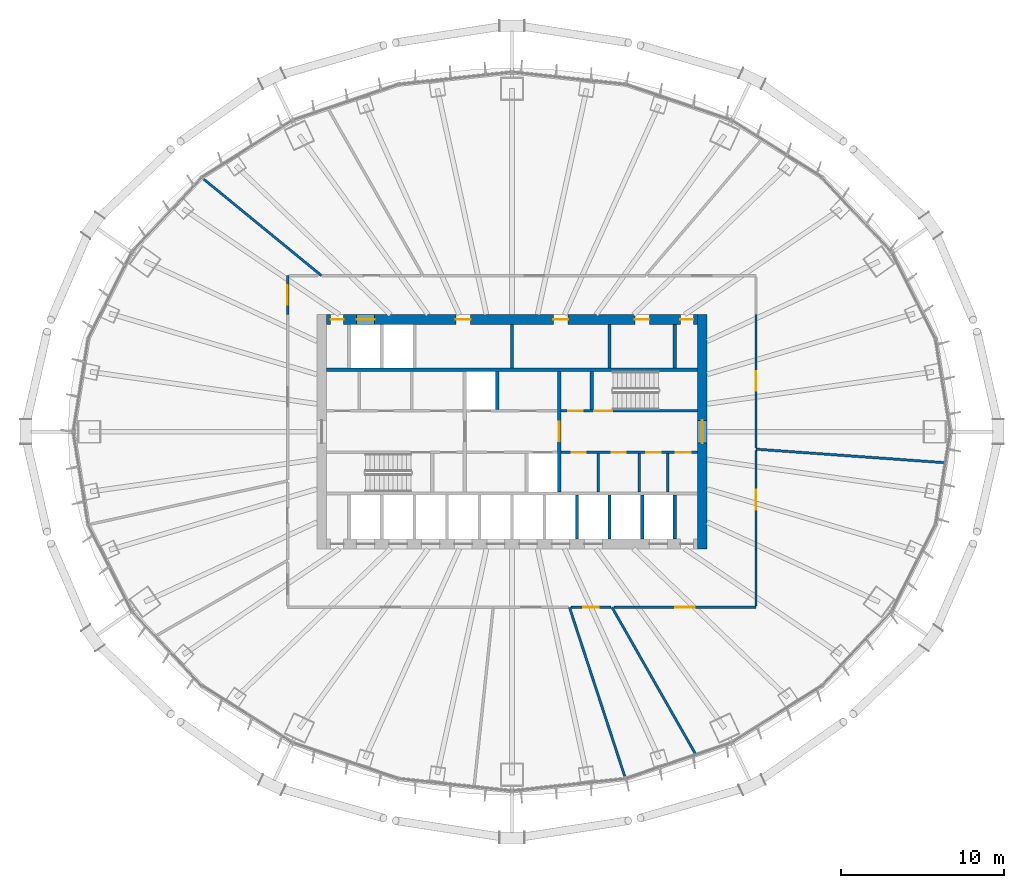
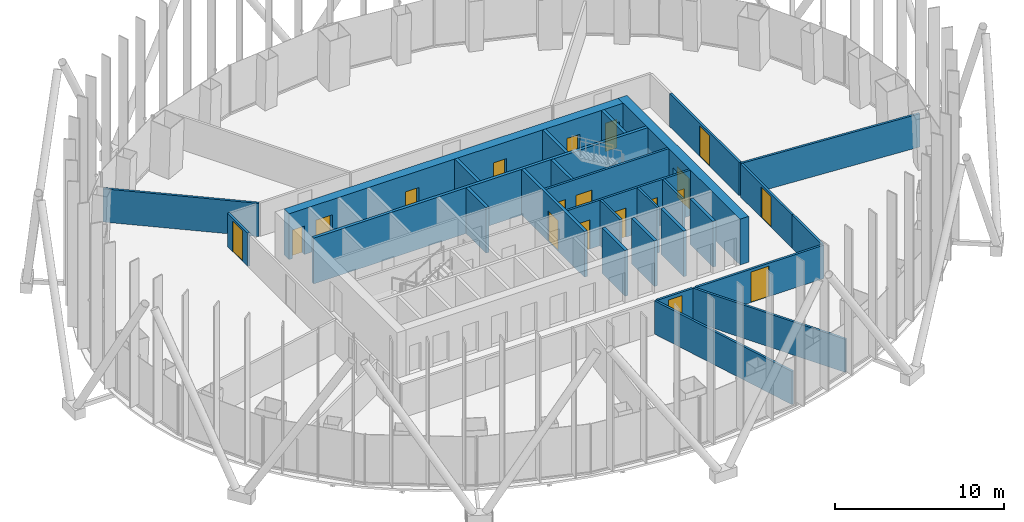
# One storey, part 8 of 21: 28 walls, 19 doors, 19 openings.
"""IFC4 building model written with IfcOpenShell, lengths in metres."""

from ifc_helpers import new_model, si_unit, direction, frame, frame_2d, origin, place, context, subcontext, project, spatial, rectangle, extrude, material, layer, layer_set, type_object, element, fill, save


model = new_model("IFC4")

# Units and contexts
model_context = context("Model", 3, precision=1e-05, world=origin(), true_north=direction((0.0, 1.0)))
body_context = subcontext(model_context, "Body", "Model", "MODEL_VIEW")
ifc_project = project(units=[si_unit("LENGTHUNIT", "METRE"), si_unit("AREAUNIT", "SQUARE_METRE"), si_unit("VOLUMEUNIT", "CUBIC_METRE"), si_unit("PLANEANGLEUNIT", "RADIAN"), si_unit("MASSUNIT", "GRAM", prefix="KILO")], contexts=[model_context])

# Site, building, storey
site_placement = place(None, origin())
site = spatial("IfcSite", under=ifc_project, at=site_placement, CompositionType="ELEMENT")
building_placement = place(site_placement, origin())
building = spatial("IfcBuilding", under=site, at=building_placement, Name="Siaravel Broadcast Tower", CompositionType="ELEMENT")
storey_placement = place(building_placement, frame((0.0, 0.0, 70.39990234375)))
storey = spatial("IfcBuildingStorey", under=building, at=storey_placement, Name="L16", CompositionType="ELEMENT", Elevation=70.39990234375)

# Walls
ifc_material_1 = material(Name="Concrete blockwork", Category="masonry")
ifc_layer_1 = layer(ifc_material_1, 0.14990234375)
ifc_layer_set_1 = layer_set([ifc_layer_1], Name="Concrete blockwork")
wall_type_1 = type_object("IfcWallType", Name="Core partition 150", PredefinedType="PARTITIONING", material=ifc_layer_set_1)
for number, where, z_axis, x_axis, name in (
    (1, (5.301025390625, -3.699951171875, 0.0), (0.0, 0.0, 1.0), (0.0, 1.0, 0.0), "L16 core partition PSE0"),
    (2, (7.8359375, -3.699951171875, 0.0), (0.0, 0.0, 1.0), (0.0, 1.0, 0.0), "L16 core partition PSE1"),
    (3, (9.575927734375, -3.699951171875, 0.0), (0.0, 0.0, 1.0), (0.0, 1.0, 0.0), "L16 core partition PSE2"),
):
    element("IfcWall", number, at=place(storey_placement, frame(where, z_axis=z_axis, x_axis=x_axis)), inside=storey, type_object=wall_type_1, Name=name, PredefinedType="PARTITIONING", context=body_context, shape_type="SweptSolid", body=[
        extrude(rectangle(XDim=2.349853515625, YDim=0.14990234375, at=frame_2d((1.1748046875, 0.0))), origin(), (0.0, 0.0, 1.0), 3.300048828125),
    ])
ifc_layer_2 = layer(ifc_material_1, 0.199951171875)
ifc_layer_set_2 = layer_set([ifc_layer_2], Name="Concrete blockwork")
wall_type_2 = type_object("IfcWallType", Name="Core partition 200", PredefinedType="PARTITIONING", material=ifc_layer_set_2)
for number, where, z_axis, x_axis, name in (
    (4, (0.0, 3.89990234375, 0.0), (0.0, 0.0, 1.0), (0.0, 1.0, 0.0), "L16 core partition PFN2"),
    (5, (6.0, 3.89990234375, 0.0), (0.0, 0.0, 1.0), (0.0, 1.0, 0.0), "L16 core partition PFN5"),
):
    element("IfcWall", number, at=place(storey_placement, frame(where, z_axis=z_axis, x_axis=x_axis)), inside=storey, type_object=wall_type_2, Name=name, PredefinedType="PARTITIONING", context=body_context, shape_type="SweptSolid", body=[
        extrude(rectangle(XDim=2.7001953125, YDim=0.199951171875, at=frame_2d((1.35009765625, 0.0))), origin(), (0.0, 0.0, 1.0), 3.300048828125),
    ])

# Wall, opening, door
ifc_material_2 = material(Name="Concrete C60/75", Category="concrete")
ifc_layer_3 = layer(ifc_material_2, 0.60009765625)
ifc_layer_set_3 = layer_set([ifc_layer_3], Name="Concrete C60/75")
wall_type_3 = type_object("IfcWallType", Name="Core wall 600", PredefinedType="SHEAR", material=ifc_layer_set_3)
wall_1_placement = place(storey_placement, frame((11.699951171875, -7.199951171875, 0.0), z_axis=(0.0, 0.0, 1.0), x_axis=(0.0, 1.0, 0.0)))
wall_1 = element("IfcWall", 6, at=wall_1_placement, inside=storey, type_object=wall_type_3, Name="L16 core wall OE", PredefinedType="SHEAR", context=body_context, shape_type="SweptSolid", body=[
    extrude(rectangle(XDim=14.39990234375, YDim=0.60009765625, at=frame_2d((7.199951171875, 0.0))), origin(), (0.0, 0.0, 1.0), 3.300048828125),
])
opening_1_placement = place(wall_1_placement, frame((6.5, 0.0, 0.0)))
opening_1 = element("IfcOpeningElement", 7, at=opening_1_placement, cuts=wall_1, Name="Opening L16-DX-E", PredefinedType="OPENING", context=body_context, shape_type="SweptSolid", body=[
    extrude(rectangle(XDim=1.39990234375, YDim=2.199951171875, at=frame_2d((0.699951171875, 1.10009765625))), frame((0.0, 0.31005859375, 0.0), z_axis=(0.0, -1.0, 0.0), x_axis=(1.0, 0.0, 0.0)), (0.0, 0.0, 1.0), 0.6201171875),
])
ifc_material_3 = material(Name="Steel", Category="steel")
door_type_1 = type_object("IfcDoorType", Name="Core exit door 1400", OperationType="DOUBLE_DOOR_SINGLE_SWING", PredefinedType="DOOR", material=ifc_material_3)
door_1_placement = place(opening_1_placement, origin())
door_1 = element("IfcDoor", 8, at=door_1_placement, inside=storey, type_object=door_type_1, Name="L16 door DX-E", OperationType="DOUBLE_DOOR_SINGLE_SWING", OverallHeight=2.199951171875, OverallWidth=1.39990234375, PredefinedType="DOOR", context=body_context, shape_type="SweptSolid", body=[
    extrude(rectangle(XDim=1.39990234375, YDim=2.199951171875, at=frame_2d((0.699951171875, 1.10009765625))), frame((0.0, 0.02490234375, 0.0), z_axis=(0.0, -1.0, 0.0), x_axis=(1.0, 0.0, 0.0)), (0.0, 0.0, 1.0), 0.050048828125),
])
fill(opening_1, door_1)

# Wall, openings, doors
wall_2_placement = place(storey_placement, frame((-11.39990234375, 6.89990234375, 0.0), z_axis=(0.0, 0.0, 1.0), x_axis=(1.0, 0.0, 0.0)))
wall_2 = element("IfcWall", 9, at=wall_2_placement, inside=storey, type_object=wall_type_3, Name="L16 core wall ON", PredefinedType="SHEAR", context=body_context, shape_type="SweptSolid", body=[
    extrude(rectangle(XDim=22.7998046875, YDim=0.60009765625, at=frame_2d((11.39990234375, 0.0))), origin(), (0.0, 0.0, 1.0), 3.300048828125),
])
opening_2_placement = place(wall_2_placement, frame((1.85009765625, 0.0, 0.0)))
opening_2 = element("IfcOpeningElement", 10, at=opening_2_placement, cuts=wall_2, Name="Opening LD-SV2-L16", PredefinedType="OPENING", context=body_context, shape_type="SweptSolid", body=[
    extrude(rectangle(XDim=1.10009765625, YDim=2.199951171875, at=frame_2d((0.550048828125, 1.10009765625))), frame((0.0, 0.31005859375, 0.0), z_axis=(0.0, -1.0, 0.0), x_axis=(1.0, 0.0, 0.0)), (0.0, 0.0, 1.0), 0.6201171875),
])
opening_3_placement = place(wall_2_placement, frame((7.949951171875, 0.0, 0.0)))
opening_3 = element("IfcOpeningElement", 11, at=opening_3_placement, cuts=wall_2, Name="Opening L16-DFN2", PredefinedType="OPENING", context=body_context, shape_type="SweptSolid", body=[
    extrude(rectangle(XDim=0.89990234375, YDim=2.10009765625, at=frame_2d((0.449951171875, 1.050048828125))), frame((0.0, 0.31005859375, 0.0), z_axis=(0.0, -1.0, 0.0), x_axis=(1.0, 0.0, 0.0)), (0.0, 0.0, 1.0), 0.6201171875),
])
opening_4_placement = place(wall_2_placement, frame((13.949951171875, 0.0, 0.0)))
opening_4 = element("IfcOpeningElement", 12, at=opening_4_placement, cuts=wall_2, Name="Opening L16-DFN5", PredefinedType="OPENING", context=body_context, shape_type="SweptSolid", body=[
    extrude(rectangle(XDim=0.89990234375, YDim=2.10009765625, at=frame_2d((0.449951171875, 1.050048828125))), frame((0.0, 0.31005859375, 0.0), z_axis=(0.0, -1.0, 0.0), x_axis=(1.0, 0.0, 0.0)), (0.0, 0.0, 1.0), 0.6201171875),
])
opening_5_placement = place(wall_2_placement, frame((18.949951171875, 0.0, 0.0)))
opening_5 = element("IfcOpeningElement", 13, at=opening_5_placement, cuts=wall_2, Name="Opening L16-DFN8", PredefinedType="OPENING", context=body_context, shape_type="SweptSolid", body=[
    extrude(rectangle(XDim=0.89990234375, YDim=2.10009765625, at=frame_2d((0.449951171875, 1.050048828125))), frame((0.0, 0.31005859375, 0.0), z_axis=(0.0, -1.0, 0.0), x_axis=(1.0, 0.0, 0.0)), (0.0, 0.0, 1.0), 0.6201171875),
])
opening_6_placement = place(wall_2_placement, frame((0.25, 0.0, 0.0)))
opening_6 = element("IfcOpeningElement", 14, at=opening_6_placement, cuts=wall_2, Name="Opening L16-DRNW", PredefinedType="OPENING", context=body_context, shape_type="SweptSolid", body=[
    extrude(rectangle(XDim=0.800048828125, YDim=2.050048828125, at=frame_2d((0.39990234375, 1.02490234375))), frame((0.0, 0.31005859375, 0.0), z_axis=(0.0, -1.0, 0.0), x_axis=(1.0, 0.0, 0.0)), (0.0, 0.0, 1.0), 0.6201171875),
])
opening_7_placement = place(wall_2_placement, frame((21.75, 0.0, 0.0)))
opening_7 = element("IfcOpeningElement", 15, at=opening_7_placement, cuts=wall_2, Name="Opening L16-DRNE", PredefinedType="OPENING", context=body_context, shape_type="SweptSolid", body=[
    extrude(rectangle(XDim=0.800048828125, YDim=2.050048828125, at=frame_2d((0.39990234375, 1.02490234375))), frame((0.0, 0.31005859375, 0.0), z_axis=(0.0, -1.0, 0.0), x_axis=(1.0, 0.0, 0.0)), (0.0, 0.0, 1.0), 0.6201171875),
])
ifc_material_4 = material(Name="Timber veneer", Category="wood")
door_type_2 = type_object("IfcDoorType", Name="Core room door 900", OperationType="SINGLE_SWING_LEFT", PredefinedType="DOOR", material=ifc_material_4)
door_2_placement = place(opening_3_placement, origin())
door_2 = element("IfcDoor", 16, at=door_2_placement, inside=storey, type_object=door_type_2, Name="L16 door DFN2", OperationType="SINGLE_SWING_LEFT", OverallHeight=2.10009765625, OverallWidth=0.89990234375, PredefinedType="DOOR", context=body_context, shape_type="SweptSolid", body=[
    extrude(rectangle(XDim=0.89990234375, YDim=2.10009765625, at=frame_2d((0.449951171875, 1.050048828125))), frame((0.0, 0.02490234375, 0.0), z_axis=(0.0, -1.0, 0.0), x_axis=(1.0, 0.0, 0.0)), (0.0, 0.0, 1.0), 0.050048828125),
])
fill(opening_3, door_2)
door_3_placement = place(opening_4_placement, origin())
door_3 = element("IfcDoor", 17, at=door_3_placement, inside=storey, type_object=door_type_2, Name="L16 door DFN5", OperationType="SINGLE_SWING_LEFT", OverallHeight=2.10009765625, OverallWidth=0.89990234375, PredefinedType="DOOR", context=body_context, shape_type="SweptSolid", body=[
    extrude(rectangle(XDim=0.89990234375, YDim=2.10009765625, at=frame_2d((0.449951171875, 1.050048828125))), frame((0.0, 0.02490234375, 0.0), z_axis=(0.0, -1.0, 0.0), x_axis=(1.0, 0.0, 0.0)), (0.0, 0.0, 1.0), 0.050048828125),
])
fill(opening_4, door_3)
door_4_placement = place(opening_5_placement, origin())
door_4 = element("IfcDoor", 18, at=door_4_placement, inside=storey, type_object=door_type_2, Name="L16 door DFN8", OperationType="SINGLE_SWING_LEFT", OverallHeight=2.10009765625, OverallWidth=0.89990234375, PredefinedType="DOOR", context=body_context, shape_type="SweptSolid", body=[
    extrude(rectangle(XDim=0.89990234375, YDim=2.10009765625, at=frame_2d((0.449951171875, 1.050048828125))), frame((0.0, 0.02490234375, 0.0), z_axis=(0.0, -1.0, 0.0), x_axis=(1.0, 0.0, 0.0)), (0.0, 0.0, 1.0), 0.050048828125),
])
fill(opening_5, door_4)
door_type_3 = type_object("IfcDoorType", Name="Riser door 800", OperationType="SINGLE_SWING_LEFT", PredefinedType="DOOR", material=ifc_material_3)
door_5_placement = place(opening_6_placement, origin())
door_5 = element("IfcDoor", 19, at=door_5_placement, inside=storey, type_object=door_type_3, Name="L16 door DRNW", OperationType="SINGLE_SWING_LEFT", OverallHeight=2.050048828125, OverallWidth=0.800048828125, PredefinedType="DOOR", context=body_context, shape_type="SweptSolid", body=[
    extrude(rectangle(XDim=0.800048828125, YDim=2.050048828125, at=frame_2d((0.39990234375, 1.02490234375))), frame((0.0, 0.02490234375, 0.0), z_axis=(0.0, -1.0, 0.0), x_axis=(1.0, 0.0, 0.0)), (0.0, 0.0, 1.0), 0.050048828125),
])
fill(opening_6, door_5)
door_6_placement = place(opening_7_placement, origin())
door_6 = element("IfcDoor", 20, at=door_6_placement, inside=storey, type_object=door_type_3, Name="L16 door DRNE", OperationType="SINGLE_SWING_LEFT", OverallHeight=2.050048828125, OverallWidth=0.800048828125, PredefinedType="DOOR", context=body_context, shape_type="SweptSolid", body=[
    extrude(rectangle(XDim=0.800048828125, YDim=2.050048828125, at=frame_2d((0.39990234375, 1.02490234375))), frame((0.0, 0.02490234375, 0.0), z_axis=(0.0, -1.0, 0.0), x_axis=(1.0, 0.0, 0.0)), (0.0, 0.0, 1.0), 0.050048828125),
])
fill(opening_7, door_6)
ifc_material_5 = material(Name="Stainless steel 316L", Category="steel")
door_type_4 = type_object("IfcDoorType", Name="Service lift landing door 1100", OperationType="DOUBLE_DOOR_SLIDING", PredefinedType="DOOR", material=ifc_material_5)
door_7_placement = place(opening_2_placement, origin())
door_7 = element("IfcDoor", 21, at=door_7_placement, inside=storey, type_object=door_type_4, Name="Landing door SV2 L16", OperationType="DOUBLE_DOOR_SLIDING", OverallHeight=2.199951171875, OverallWidth=1.10009765625, PredefinedType="DOOR", context=body_context, shape_type="SweptSolid", body=[
    extrude(rectangle(XDim=1.10009765625, YDim=2.199951171875, at=frame_2d((0.550048828125, 1.10009765625))), frame((0.0, 0.02490234375, 0.0), z_axis=(0.0, -1.0, 0.0), x_axis=(1.0, 0.0, 0.0)), (0.0, 0.0, 1.0), 0.050048828125),
])
fill(opening_2, door_7)

ifc_material_6 = material(Name="Gypsum board partition", Category="gypsum")
ifc_layer_4 = layer(ifc_material_6, 0.14990234375)
ifc_layer_set_4 = layer_set([ifc_layer_4], Name="Gypsum board partition")
wall_type_4 = type_object("IfcWallType", Name="Corridor wall 150", PredefinedType="PARTITIONING", material=ifc_layer_set_4)
wall_3_placement = place(storey_placement, frame((3.0, -1.27490234375, 0.0), z_axis=(0.0, 0.0, 1.0), x_axis=(1.0, 0.0, 0.0)))
wall_3 = element("IfcWall", 22, at=wall_3_placement, inside=storey, type_object=wall_type_4, Name="L16 core partition CSE", PredefinedType="PARTITIONING", context=body_context, shape_type="SweptSolid", body=[
    extrude(rectangle(XDim=8.39990234375, YDim=0.14990234375, at=frame_2d((4.199951171875, 0.0))), origin(), (0.0, 0.0, 1.0), 3.300048828125),
])
opening_8_placement = place(wall_3_placement, frame((0.68798828125, 0.0, 0.0)))
opening_8 = element("IfcOpeningElement", 23, at=opening_8_placement, cuts=wall_3, Name="Opening L16-DSE0", PredefinedType="OPENING", context=body_context, shape_type="SweptSolid", body=[
    extrude(rectangle(XDim=0.85009765625, YDim=2.10009765625, at=frame_2d((0.425048828125, 1.050048828125))), frame((0.0, 0.0849609375, 0.0), z_axis=(0.0, -1.0, 0.0), x_axis=(1.0, 0.0, 0.0)), (0.0, 0.0, 1.0), 0.169921875),
])
opening_9_placement = place(wall_3_placement, frame((3.1435546875, 0.0, 0.0)))
opening_9 = element("IfcOpeningElement", 24, at=opening_9_placement, cuts=wall_3, Name="Opening L16-DSE1", PredefinedType="OPENING", context=body_context, shape_type="SweptSolid", body=[
    extrude(rectangle(XDim=0.85009765625, YDim=2.10009765625, at=frame_2d((0.425048828125, 1.050048828125))), frame((0.0, 0.0849609375, 0.0), z_axis=(0.0, -1.0, 0.0), x_axis=(1.0, 0.0, 0.0)), (0.0, 0.0, 1.0), 0.169921875),
])
opening_10_placement = place(wall_3_placement, frame((5.256103515625, 0.0, 0.0)))
opening_10 = element("IfcOpeningElement", 25, at=opening_10_placement, cuts=wall_3, Name="Opening L16-DSE2", PredefinedType="OPENING", context=body_context, shape_type="SweptSolid", body=[
    extrude(rectangle(XDim=0.89990234375, YDim=2.10009765625, at=frame_2d((0.449951171875, 1.050048828125))), frame((0.0, 0.0849609375, 0.0), z_axis=(0.0, -1.0, 0.0), x_axis=(1.0, 0.0, 0.0)), (0.0, 0.0, 1.0), 0.169921875),
])
opening_11_placement = place(wall_3_placement, frame((7.075439453125, 0.0, 0.0)))
opening_11 = element("IfcOpeningElement", 26, at=opening_11_placement, cuts=wall_3, Name="Opening L16-DSE3", PredefinedType="OPENING", context=body_context, shape_type="SweptSolid", body=[
    extrude(rectangle(XDim=0.89990234375, YDim=2.10009765625, at=frame_2d((0.449951171875, 1.050048828125))), frame((0.0, 0.0849609375, 0.0), z_axis=(0.0, -1.0, 0.0), x_axis=(1.0, 0.0, 0.0)), (0.0, 0.0, 1.0), 0.169921875),
])
door_8_placement = place(opening_10_placement, origin())
door_8 = element("IfcDoor", 27, at=door_8_placement, inside=storey, type_object=door_type_2, Name="L16 door DSE2", OperationType="SINGLE_SWING_LEFT", OverallHeight=2.10009765625, OverallWidth=0.89990234375, PredefinedType="DOOR", context=body_context, shape_type="SweptSolid", body=[
    extrude(rectangle(XDim=0.89990234375, YDim=2.10009765625, at=frame_2d((0.449951171875, 1.050048828125))), frame((0.0, 0.02490234375, 0.0), z_axis=(0.0, -1.0, 0.0), x_axis=(1.0, 0.0, 0.0)), (0.0, 0.0, 1.0), 0.050048828125),
])
fill(opening_10, door_8)
door_9_placement = place(opening_11_placement, origin())
door_9 = element("IfcDoor", 28, at=door_9_placement, inside=storey, type_object=door_type_2, Name="L16 door DSE3", OperationType="SINGLE_SWING_LEFT", OverallHeight=2.10009765625, OverallWidth=0.89990234375, PredefinedType="DOOR", context=body_context, shape_type="SweptSolid", body=[
    extrude(rectangle(XDim=0.89990234375, YDim=2.10009765625, at=frame_2d((0.449951171875, 1.050048828125))), frame((0.0, 0.02490234375, 0.0), z_axis=(0.0, -1.0, 0.0), x_axis=(1.0, 0.0, 0.0)), (0.0, 0.0, 1.0), 0.050048828125),
])
fill(opening_11, door_9)
door_type_5 = type_object("IfcDoorType", Name="Core toilet door 850", OperationType="SINGLE_SWING_LEFT", PredefinedType="DOOR", material=ifc_material_4)
door_10_placement = place(opening_8_placement, origin())
door_10 = element("IfcDoor", 29, at=door_10_placement, inside=storey, type_object=door_type_5, Name="L16 door DSE0", OperationType="SINGLE_SWING_LEFT", OverallHeight=2.10009765625, OverallWidth=0.85009765625, PredefinedType="DOOR", context=body_context, shape_type="SweptSolid", body=[
    extrude(rectangle(XDim=0.85009765625, YDim=2.10009765625, at=frame_2d((0.425048828125, 1.050048828125))), frame((0.0, 0.02490234375, 0.0), z_axis=(0.0, -1.0, 0.0), x_axis=(1.0, 0.0, 0.0)), (0.0, 0.0, 1.0), 0.050048828125),
])
fill(opening_8, door_10)
door_11_placement = place(opening_9_placement, origin())
door_11 = element("IfcDoor", 30, at=door_11_placement, inside=storey, type_object=door_type_5, Name="L16 door DSE1", OperationType="SINGLE_SWING_LEFT", OverallHeight=2.10009765625, OverallWidth=0.85009765625, PredefinedType="DOOR", context=body_context, shape_type="SweptSolid", body=[
    extrude(rectangle(XDim=0.85009765625, YDim=2.10009765625, at=frame_2d((0.425048828125, 1.050048828125))), frame((0.0, 0.02490234375, 0.0), z_axis=(0.0, -1.0, 0.0), x_axis=(1.0, 0.0, 0.0)), (0.0, 0.0, 1.0), 0.050048828125),
])
fill(opening_9, door_11)

# Wall, opening, door
wall_4_placement = place(storey_placement, frame((6.279296875, -10.800048828125, 0.0), z_axis=(0.0, 0.0, 1.0), x_axis=(1.0, 0.0, 0.0)))
wall_4 = element("IfcWall", 31, at=wall_4_placement, inside=storey, type_object=wall_type_4, Name="L16 partition 13", PredefinedType="PARTITIONING", context=body_context, shape_type="SweptSolid", body=[
    extrude(rectangle(XDim=8.720703125, YDim=0.14990234375, at=frame_2d((4.3603515625, 0.0))), origin(), (0.0, 0.0, 1.0), 2.400146484375),
])
opening_12_placement = place(wall_4_placement, frame((3.760498046875, 0.0, 0.0)))
opening_12 = element("IfcOpeningElement", 32, at=opening_12_placement, cuts=wall_4, Name="Opening L16-001", PredefinedType="OPENING", context=body_context, shape_type="SweptSolid", body=[
    extrude(rectangle(XDim=1.199951171875, YDim=2.199951171875, at=frame_2d((0.60009765625, 1.10009765625))), frame((0.0, 0.0849609375, 0.0), z_axis=(0.0, -1.0, 0.0), x_axis=(1.0, 0.0, 0.0)), (0.0, 0.0, 1.0), 0.169921875),
])
door_type_6 = type_object("IfcDoorType", Name="Office double door 1200", OperationType="DOUBLE_DOOR_SINGLE_SWING", PredefinedType="DOOR", material=ifc_material_4)
door_12_placement = place(opening_12_placement, origin())
door_12 = element("IfcDoor", 33, at=door_12_placement, inside=storey, type_object=door_type_6, Name="L16 door to Open plan newsroom", OperationType="DOUBLE_DOOR_SINGLE_SWING", OverallHeight=2.199951171875, OverallWidth=1.199951171875, PredefinedType="DOOR", context=body_context, shape_type="SweptSolid", body=[
    extrude(rectangle(XDim=1.199951171875, YDim=2.199951171875, at=frame_2d((0.60009765625, 1.10009765625))), frame((0.0, 0.02490234375, 0.0), z_axis=(0.0, -1.0, 0.0), x_axis=(1.0, 0.0, 0.0)), (0.0, 0.0, 1.0), 0.050048828125),
])
fill(opening_12, door_12)

wall_5_placement = place(storey_placement, frame((15.0, -0.998291015625, 0.0), z_axis=(0.0, 0.0, 1.0), x_axis=(0.0, 1.0, 0.0)))
wall_5 = element("IfcWall", 34, at=wall_5_placement, inside=storey, type_object=wall_type_4, Name="L16 partition 14", PredefinedType="PARTITIONING", context=body_context, shape_type="SweptSolid", body=[
    extrude(rectangle(XDim=8.210205078125, YDim=0.14990234375, at=frame_2d((4.10498046875, 0.0))), origin(), (0.0, 0.0, 1.0), 2.400146484375),
])
opening_13_placement = place(wall_5_placement, frame((3.505126953125, 0.0, 0.0)))
opening_13 = element("IfcOpeningElement", 35, at=opening_13_placement, cuts=wall_5, Name="Opening L16-003", PredefinedType="OPENING", context=body_context, shape_type="SweptSolid", body=[
    extrude(rectangle(XDim=1.199951171875, YDim=2.199951171875, at=frame_2d((0.60009765625, 1.10009765625))), frame((0.0, 0.0849609375, 0.0), z_axis=(0.0, -1.0, 0.0), x_axis=(1.0, 0.0, 0.0)), (0.0, 0.0, 1.0), 0.169921875),
])
door_13_placement = place(opening_13_placement, origin())
door_13 = element("IfcDoor", 36, at=door_13_placement, inside=storey, type_object=door_type_6, Name="L16 door to Open plan newsroom", OperationType="DOUBLE_DOOR_SINGLE_SWING", OverallHeight=2.199951171875, OverallWidth=1.199951171875, PredefinedType="DOOR", context=body_context, shape_type="SweptSolid", body=[
    extrude(rectangle(XDim=1.199951171875, YDim=2.199951171875, at=frame_2d((0.60009765625, 1.10009765625))), frame((0.0, 0.02490234375, 0.0), z_axis=(0.0, -1.0, 0.0), x_axis=(1.0, 0.0, 0.0)), (0.0, 0.0, 1.0), 0.050048828125),
])
fill(opening_13, door_13)

wall_6_placement = place(storey_placement, frame((15.0, -7.2119140625, 0.0), z_axis=(0.0, 0.0, 1.0), x_axis=(0.0, 1.0, 0.0)))
wall_6 = element("IfcWall", 37, at=wall_6_placement, inside=storey, type_object=wall_type_4, Name="L16 partition 17", PredefinedType="PARTITIONING", context=body_context, shape_type="SweptSolid", body=[
    extrude(rectangle(XDim=6.054443359375, YDim=0.14990234375, at=frame_2d((3.02734375, 0.0))), origin(), (0.0, 0.0, 1.0), 2.400146484375),
])
opening_14_placement = place(wall_6_placement, frame((2.42724609375, 0.0, 0.0)))
opening_14 = element("IfcOpeningElement", 38, at=opening_14_placement, cuts=wall_6, Name="Opening L16-002", PredefinedType="OPENING", context=body_context, shape_type="SweptSolid", body=[
    extrude(rectangle(XDim=1.199951171875, YDim=2.199951171875, at=frame_2d((0.60009765625, 1.10009765625))), frame((0.0, 0.0849609375, 0.0), z_axis=(0.0, -1.0, 0.0), x_axis=(1.0, 0.0, 0.0)), (0.0, 0.0, 1.0), 0.169921875),
])
door_14_placement = place(opening_14_placement, origin())
door_14 = element("IfcDoor", 39, at=door_14_placement, inside=storey, type_object=door_type_6, Name="L16 door to Open plan newsroom", OperationType="DOUBLE_DOOR_SINGLE_SWING", OverallHeight=2.199951171875, OverallWidth=1.199951171875, PredefinedType="DOOR", context=body_context, shape_type="SweptSolid", body=[
    extrude(rectangle(XDim=1.199951171875, YDim=2.199951171875, at=frame_2d((0.60009765625, 1.10009765625))), frame((0.0, 0.02490234375, 0.0), z_axis=(0.0, -1.0, 0.0), x_axis=(1.0, 0.0, 0.0)), (0.0, 0.0, 1.0), 0.050048828125),
])
fill(opening_14, door_14)

# Wall
wall_7_placement = place(storey_placement, frame((15.0, -10.722900390625, 0.0), z_axis=(0.0, 0.0, 1.0), x_axis=(0.0, 1.0, 0.0)))
element("IfcWall", 40, at=wall_7_placement, inside=storey, type_object=wall_type_4, Name="L16 partition 20", PredefinedType="PARTITIONING", context=body_context, shape_type="SweptSolid", body=[
    extrude(rectangle(XDim=3.510009765625, YDim=0.14990234375, at=frame_2d((1.7548828125, 0.0))), origin(), (0.0, 0.0, 1.0), 2.400146484375),
])

# Wall, opening, door
wall_8_placement = place(storey_placement, frame((3.638427734375, -10.800048828125, 0.0), z_axis=(0.0, 0.0, 1.0), x_axis=(1.0, 0.0, 0.0)))
wall_8 = element("IfcWall", 41, at=wall_8_placement, inside=storey, type_object=wall_type_4, Name="L16 partition 22", PredefinedType="PARTITIONING", context=body_context, shape_type="SweptSolid", body=[
    extrude(rectangle(XDim=2.442626953125, YDim=0.14990234375, at=frame_2d((1.22119140625, 0.0))), origin(), (0.0, 0.0, 1.0), 2.400146484375),
])
opening_15_placement = place(wall_8_placement, frame((0.746337890625, 0.0, 0.0)))
opening_15 = element("IfcOpeningElement", 42, at=opening_15_placement, cuts=wall_8, Name="Opening L16-013", PredefinedType="OPENING", context=body_context, shape_type="SweptSolid", body=[
    extrude(rectangle(XDim=0.949951171875, YDim=2.14990234375, at=frame_2d((0.47509765625, 1.074951171875))), frame((0.0, 0.0849609375, 0.0), z_axis=(0.0, -1.0, 0.0), x_axis=(1.0, 0.0, 0.0)), (0.0, 0.0, 1.0), 0.169921875),
])
door_type_7 = type_object("IfcDoorType", Name="Office door 950", OperationType="SINGLE_SWING_LEFT", PredefinedType="DOOR", material=ifc_material_4)
door_15_placement = place(opening_15_placement, origin())
door_15 = element("IfcDoor", 43, at=door_15_placement, inside=storey, type_object=door_type_7, Name="L16 door to Graphics studio", OperationType="SINGLE_SWING_LEFT", OverallHeight=2.14990234375, OverallWidth=0.949951171875, PredefinedType="DOOR", context=body_context, shape_type="SweptSolid", body=[
    extrude(rectangle(XDim=0.949951171875, YDim=2.14990234375, at=frame_2d((0.47509765625, 1.074951171875))), frame((0.0, 0.02490234375, 0.0), z_axis=(0.0, -1.0, 0.0), x_axis=(1.0, 0.0, 0.0)), (0.0, 0.0, 1.0), 0.050048828125),
])
fill(opening_15, door_15)

wall_9_placement = place(storey_placement, frame((-13.800048828125, 9.60009765625, 0.0), z_axis=(0.0, 0.0, 1.0), x_axis=(0.0, -1.0, 0.0)))
wall_9 = element("IfcWall", 44, at=wall_9_placement, inside=storey, type_object=wall_type_4, Name="L16 partition 23", PredefinedType="PARTITIONING", context=body_context, shape_type="SweptSolid", body=[
    extrude(rectangle(XDim=2.38720703125, YDim=0.14990234375, at=frame_2d((1.193603515625, 0.0))), origin(), (0.0, 0.0, 1.0), 2.400146484375),
])
opening_16_placement = place(wall_9_placement, frame((0.593505859375, 0.0, 0.0)))
opening_16 = element("IfcOpeningElement", 45, at=opening_16_placement, cuts=wall_9, Name="Opening L16-008", PredefinedType="OPENING", context=body_context, shape_type="SweptSolid", body=[
    extrude(rectangle(XDim=1.199951171875, YDim=2.199951171875, at=frame_2d((0.60009765625, 1.10009765625))), frame((0.0, 0.0849609375, 0.0), z_axis=(0.0, -1.0, 0.0), x_axis=(1.0, 0.0, 0.0)), (0.0, 0.0, 1.0), 0.169921875),
])
door_16_placement = place(opening_16_placement, origin())
door_16 = element("IfcDoor", 46, at=door_16_placement, inside=storey, type_object=door_type_6, Name="L16 door to Open plan newsroom", OperationType="DOUBLE_DOOR_SINGLE_SWING", OverallHeight=2.199951171875, OverallWidth=1.199951171875, PredefinedType="DOOR", context=body_context, shape_type="SweptSolid", body=[
    extrude(rectangle(XDim=1.199951171875, YDim=2.199951171875, at=frame_2d((0.60009765625, 1.10009765625))), frame((0.0, 0.02490234375, 0.0), z_axis=(0.0, -1.0, 0.0), x_axis=(1.0, 0.0, 0.0)), (0.0, 0.0, 1.0), 0.050048828125),
])
fill(opening_16, door_16)

# Walls
ifc_layer_5 = layer(ifc_material_6, 0.14990234375)
ifc_layer_set_5 = layer_set([ifc_layer_5], Name="Gypsum board partition")
wall_type_5 = type_object("IfcWallType", Name="Room partition 150", PredefinedType="PARTITIONING", material=ifc_layer_set_5)
wall_10_placement = place(storey_placement, frame((26.691650390625, -1.912841796875, 0.0), z_axis=(0.0, 0.0, 1.0), x_axis=(-0.997441861, 0.071482396, 0.0)))
element("IfcWall", 47, at=wall_10_placement, inside=storey, type_object=wall_type_5, Name="L16 partition 5", PredefinedType="PARTITIONING", context=body_context, shape_type="SweptSolid", body=[
    extrude(rectangle(XDim=11.7216796875, YDim=0.14990234375, at=frame_2d((5.86083984375, 0.0))), origin(), (0.0, 0.0, 1.0), 2.400146484375),
])
wall_11_placement = place(storey_placement, frame((6.928466796875, -21.179931640625, 0.0), z_axis=(0.0, 0.0, 1.0), x_axis=(-0.310911297, 0.950438933, 0.0)))
element("IfcWall", 48, at=wall_11_placement, inside=storey, type_object=wall_type_5, Name="L16 partition 8", PredefinedType="PARTITIONING", context=body_context, shape_type="SweptSolid", body=[
    extrude(rectangle(XDim=10.921142578125, YDim=0.14990234375, at=frame_2d((5.46044921875, 0.0))), origin(), (0.0, 0.0, 1.0), 2.400146484375),
])
wall_12_placement = place(storey_placement, frame((6.148193359375, -10.800048828125, 0.0), z_axis=(0.0, 0.0, 1.0), x_axis=(0.494733163, -0.869044934, 0.0)))
element("IfcWall", 49, at=wall_12_placement, inside=storey, type_object=wall_type_5, Name="L16 partition 9", PredefinedType="PARTITIONING", context=body_context, shape_type="SweptSolid", body=[
    extrude(rectangle(XDim=10.44091796875, YDim=0.14990234375, at=frame_2d((5.220458984375, 0.0))), origin(), (0.0, 0.0, 1.0), 2.400146484375),
])
wall_13_placement = place(storey_placement, frame((-18.93701171875, 15.511474609375, 0.0), z_axis=(0.0, 0.0, 1.0), x_axis=(0.773614383, -0.633656678, 0.0)))
element("IfcWall", 50, at=wall_13_placement, inside=storey, type_object=wall_type_5, Name="L16 partition 12", PredefinedType="PARTITIONING", context=body_context, shape_type="SweptSolid", body=[
    extrude(rectangle(XDim=9.3291015625, YDim=0.14990234375, at=frame_2d((4.66455078125, 0.0))), origin(), (0.0, 0.0, 1.0), 2.400146484375),
])

# Wall, openings, doors
ifc_layer_6 = layer(ifc_material_2, 0.14990234375)
ifc_layer_set_6 = layer_set([ifc_layer_6], Name="Concrete C60/75")
wall_type_6 = type_object("IfcWallType", Name="Shaft wall 150", PredefinedType="SHEAR", material=ifc_layer_set_6)
wall_14_placement = place(storey_placement, frame((3.0, 1.27490234375, 0.0), z_axis=(0.0, 0.0, 1.0), x_axis=(1.0, 0.0, 0.0)))
wall_14 = element("IfcWall", 51, at=wall_14_placement, inside=storey, type_object=wall_type_6, Name="L16 core wall CNE", PredefinedType="SHEAR", context=body_context, shape_type="SweptSolid", body=[
    extrude(rectangle(XDim=8.39990234375, YDim=0.14990234375, at=frame_2d((4.199951171875, 0.0))), origin(), (0.0, 0.0, 1.0), 3.300048828125),
])
opening_17_placement = place(wall_14_placement, frame((2.050048828125, 0.0, 0.0)))
opening_17 = element("IfcOpeningElement", 52, at=opening_17_placement, cuts=wall_14, Name="Opening L16-DS-2", PredefinedType="OPENING", context=body_context, shape_type="SweptSolid", body=[
    extrude(rectangle(XDim=1.10009765625, YDim=2.14990234375, at=frame_2d((0.550048828125, 1.074951171875))), frame((0.0, 0.0849609375, 0.0), z_axis=(0.0, -1.0, 0.0), x_axis=(1.0, 0.0, 0.0)), (0.0, 0.0, 1.0), 0.169921875),
])
opening_18_placement = place(wall_14_placement, frame((0.449951171875, 0.0, 0.0)))
opening_18 = element("IfcOpeningElement", 53, at=opening_18_placement, cuts=wall_14, Name="Opening L16-DNE0", PredefinedType="OPENING", context=body_context, shape_type="SweptSolid", body=[
    extrude(rectangle(XDim=0.89990234375, YDim=2.10009765625, at=frame_2d((0.449951171875, 1.050048828125))), frame((0.0, 0.0849609375, 0.0), z_axis=(0.0, -1.0, 0.0), x_axis=(1.0, 0.0, 0.0)), (0.0, 0.0, 1.0), 0.169921875),
])
door_17_placement = place(opening_18_placement, origin())
door_17 = element("IfcDoor", 54, at=door_17_placement, inside=storey, type_object=door_type_2, Name="L16 door DNE0", OperationType="SINGLE_SWING_LEFT", OverallHeight=2.10009765625, OverallWidth=0.89990234375, PredefinedType="DOOR", context=body_context, shape_type="SweptSolid", body=[
    extrude(rectangle(XDim=0.89990234375, YDim=2.10009765625, at=frame_2d((0.449951171875, 1.050048828125))), frame((0.0, 0.02490234375, 0.0), z_axis=(0.0, -1.0, 0.0), x_axis=(1.0, 0.0, 0.0)), (0.0, 0.0, 1.0), 0.050048828125),
])
fill(opening_18, door_17)
door_type_8 = type_object("IfcDoorType", Name="Stair door 1100", OperationType="SINGLE_SWING_LEFT", PredefinedType="DOOR", material=ifc_material_3)
door_18_placement = place(opening_17_placement, origin())
door_18 = element("IfcDoor", 55, at=door_18_placement, inside=storey, type_object=door_type_8, Name="L16 door DS-2", OperationType="SINGLE_SWING_LEFT", OverallHeight=2.14990234375, OverallWidth=1.10009765625, PredefinedType="DOOR", context=body_context, shape_type="SweptSolid", body=[
    extrude(rectangle(XDim=1.10009765625, YDim=2.14990234375, at=frame_2d((0.550048828125, 1.074951171875))), frame((0.0, 0.02490234375, 0.0), z_axis=(0.0, -1.0, 0.0), x_axis=(1.0, 0.0, 0.0)), (0.0, 0.0, 1.0), 0.050048828125),
])
fill(opening_17, door_18)

# Walls
ifc_layer_7 = layer(ifc_material_2, 0.199951171875)
ifc_layer_set_7 = layer_set([ifc_layer_7], Name="Concrete C60/75")
wall_type_7 = type_object("IfcWallType", Name="Shaft wall 200", PredefinedType="SHEAR", material=ifc_layer_set_7)
wall_15_placement = place(storey_placement, frame((-11.39990234375, 3.800048828125, 0.0), z_axis=(0.0, 0.0, 1.0), x_axis=(1.0, 0.0, 0.0)))
element("IfcWall", 56, at=wall_15_placement, inside=storey, type_object=wall_type_7, Name="L16 core wall BN", PredefinedType="SHEAR", context=body_context, shape_type="SweptSolid", body=[
    extrude(rectangle(XDim=22.7998046875, YDim=0.199951171875, at=frame_2d((11.39990234375, 0.0))), origin(), (0.0, 0.0, 1.0), 3.300048828125),
])
for number, where, z_axis, x_axis, name in (
    (57, (4.0, -6.60009765625, 0.0), (0.0, 0.0, 1.0), (0.0, 1.0, 0.0), "L16 core wall SWS7"),
    (58, (6.0, -6.60009765625, 0.0), (0.0, 0.0, 1.0), (0.0, 1.0, 0.0), "L16 core wall SWS8"),
    (59, (8.0, -6.60009765625, 0.0), (0.0, 0.0, 1.0), (0.0, 1.0, 0.0), "L16 core wall SWS9"),
    (60, (10.0, -6.60009765625, 0.0), (0.0, 0.0, 1.0), (0.0, 1.0, 0.0), "L16 core wall SWS10"),
    (61, (10.0, 3.89990234375, 0.0), (0.0, 0.0, 1.0), (0.0, 1.0, 0.0), "L16 core wall SWN10"),
):
    element("IfcWall", number, at=place(storey_placement, frame(where, z_axis=z_axis, x_axis=x_axis)), inside=storey, type_object=wall_type_7, Name=name, PredefinedType="SHEAR", context=body_context, shape_type="SweptSolid", body=[
        extrude(rectangle(XDim=2.7001953125, YDim=0.199951171875, at=frame_2d((1.35009765625, 0.0))), origin(), (0.0, 0.0, 1.0), 3.300048828125),
    ])

# Wall, opening, door
wall_16_placement = place(storey_placement, frame((2.89990234375, -3.699951171875, 0.0), z_axis=(0.0, 0.0, 1.0), x_axis=(0.0, 1.0, 0.0)))
wall_16 = element("IfcWall", 62, at=wall_16_placement, inside=storey, type_object=wall_type_7, Name="L16 core wall LE", PredefinedType="SHEAR", context=body_context, shape_type="SweptSolid", body=[
    extrude(rectangle(XDim=7.39990234375, YDim=0.199951171875, at=frame_2d((3.699951171875, 0.0))), origin(), (0.0, 0.0, 1.0), 3.300048828125),
])
opening_19_placement = place(wall_16_placement, frame((3.10009765625, 0.0, 0.0)))
opening_19 = element("IfcOpeningElement", 63, at=opening_19_placement, cuts=wall_16, Name="Opening L16-DL-E", PredefinedType="OPENING", context=body_context, shape_type="SweptSolid", body=[
    extrude(rectangle(XDim=1.199951171875, YDim=2.199951171875, at=frame_2d((0.60009765625, 1.10009765625))), frame((0.0, 0.10986328125, 0.0), z_axis=(0.0, -1.0, 0.0), x_axis=(1.0, 0.0, 0.0)), (0.0, 0.0, 1.0), 0.219970703125),
])
door_type_9 = type_object("IfcDoorType", Name="Firefighting lobby door 1200", OperationType="SINGLE_SWING_LEFT", PredefinedType="DOOR", material=ifc_material_3)
door_19_placement = place(opening_19_placement, origin())
door_19 = element("IfcDoor", 64, at=door_19_placement, inside=storey, type_object=door_type_9, Name="L16 door DL-E", OperationType="SINGLE_SWING_LEFT", OverallHeight=2.199951171875, OverallWidth=1.199951171875, PredefinedType="DOOR", context=body_context, shape_type="SweptSolid", body=[
    extrude(rectangle(XDim=1.199951171875, YDim=2.199951171875, at=frame_2d((0.60009765625, 1.10009765625))), frame((0.0, 0.02490234375, 0.0), z_axis=(0.0, -1.0, 0.0), x_axis=(1.0, 0.0, 0.0)), (0.0, 0.0, 1.0), 0.050048828125),
])
fill(opening_19, door_19)

# Walls
for number, where, z_axis, x_axis, name in (
    (65, (-0.89990234375, 1.35009765625, 0.0), (0.0, 0.0, 1.0), (0.0, 1.0, 0.0), "L16 core wall FF1E"),
    (66, (4.89990234375, 1.35009765625, 0.0), (0.0, 0.0, 1.0), (0.0, 1.0, 0.0), "L16 core wall ST2W"),
):
    element("IfcWall", number, at=place(storey_placement, frame(where, z_axis=z_axis, x_axis=x_axis)), inside=storey, type_object=wall_type_7, Name=name, PredefinedType="SHEAR", context=body_context, shape_type="SweptSolid", body=[
        extrude(rectangle(XDim=2.349853515625, YDim=0.199951171875, at=frame_2d((1.1748046875, 0.0))), origin(), (0.0, 0.0, 1.0), 3.300048828125),
    ])

save(model, "model.ifc")
